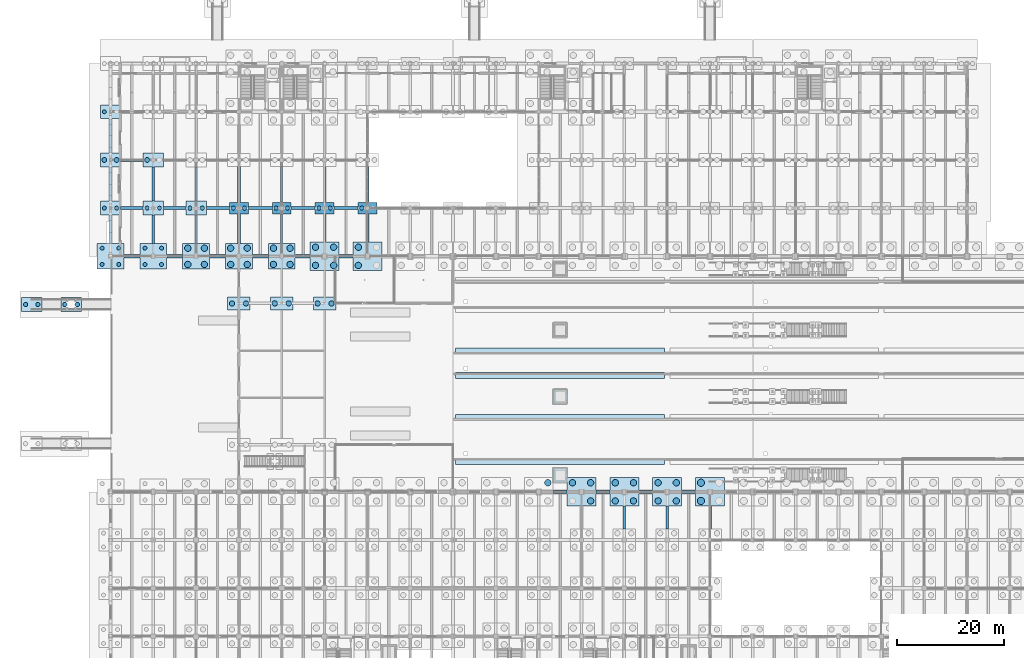
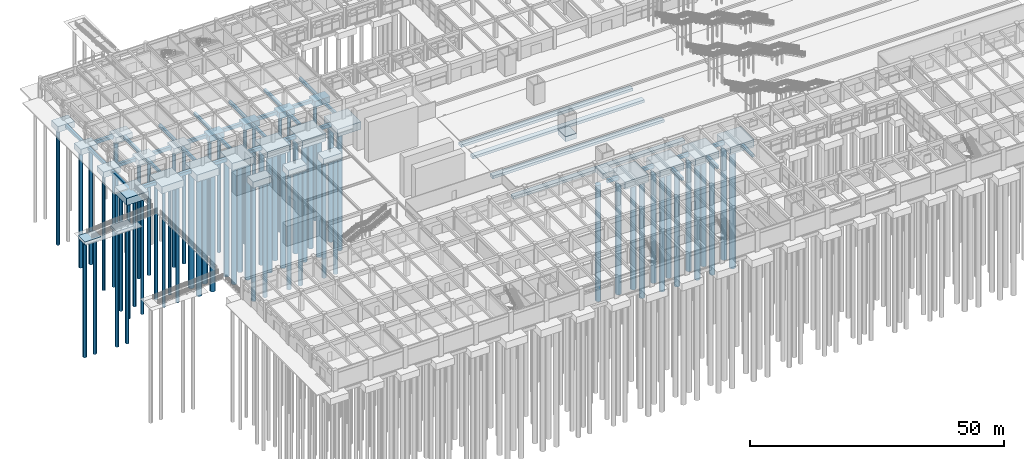
# One storey, part 4 of 147: 67 footings, 67 piles.
"""IFC4 building model written with IfcOpenShell, lengths in metres."""

from ifc_helpers import new_model, si_unit, direction, frame, origin, origin_2d, place, context, subcontext, project, spatial, rectangle, circle, extrude, material, layer, layer_set, material_profile, profile_set, type_object, element, save


model = new_model("IFC4")

# Units and contexts
model_context = context("Model", 3, precision=1e-05, world=origin(), true_north=direction((0.0, 1.0)))
body_context = subcontext(model_context, "Body", "Model", "MODEL_VIEW")
ifc_project = project(units=[si_unit("LENGTHUNIT", "METRE"), si_unit("AREAUNIT", "SQUARE_METRE"), si_unit("VOLUMEUNIT", "CUBIC_METRE"), si_unit("PLANEANGLEUNIT", "RADIAN"), si_unit("MASSUNIT", "GRAM", prefix="KILO")], contexts=[model_context])

# Site, building, storey
site_placement = place(None, origin())
site = spatial("IfcSite", under=ifc_project, at=site_placement, CompositionType="ELEMENT")
building_placement = place(site_placement, origin())
building = spatial("IfcBuilding", under=site, at=building_placement, Name="Varnabhumi Central Station", CompositionType="ELEMENT")
storey_placement = place(building_placement, origin())
storey = spatial("IfcBuildingStorey", under=building, at=storey_placement, Name="L00", CompositionType="ELEMENT", Elevation=0.0)

# Footings
ifc_material_1 = material(Name="Concrete M40", Category="concrete")
ifc_layer_1 = layer(ifc_material_1, 1.39990234375, Name="Concrete M40", Category="concrete")
ifc_layer_set_1 = layer_set([ifc_layer_1], Name="Concrete M40")
footing_type_1 = type_object("IfcFootingType", Name="CAP-CANOPY", PredefinedType="PILE_CAP", material=ifc_layer_set_1)
for number, where, z_axis, x_axis, name in (
    (1, (0.0, 89.0, -1.699951171875), (0.0, 0.0, 1.0), (1.0, 0.0, 0.0), "Pile Cap 1-L"),
    (2, (0.0, 98.0, -1.699951171875), (0.0, 0.0, 1.0), (1.0, 0.0, 0.0), "Pile Cap 1-M"),
    (3, (0.0, 107.0, -1.699951171875), (0.0, 0.0, 1.0), (1.0, 0.0, 0.0), "Pile Cap 1-N"),
    (4, (8.0, 89.0, -1.699951171875), (0.0, 0.0, 1.0), (1.0, 0.0, 0.0), "Pile Cap 2-L"),
    (5, (8.0, 98.0, -1.699951171875), (0.0, 0.0, 1.0), (1.0, 0.0, 0.0), "Pile Cap 2-M"),
    (6, (16.0, 89.0, -1.699951171875), (0.0, 0.0, 1.0), (1.0, 0.0, 0.0), "Pile Cap 3-L"),
):
    element("IfcFooting", number, at=place(storey_placement, frame(where, z_axis=z_axis, x_axis=x_axis)), inside=storey, type_object=footing_type_1, Name=name, PredefinedType="PILE_CAP", context=body_context, shape_type="SweptSolid", body=[
        extrude(rectangle(XDim=3.800048828125, YDim=2.60009765625, at=origin_2d()), origin(), (0.0, 0.0, 1.0), 1.39990234375),
    ])
for number, where, z_axis, x_axis, name in (
    (7, (-14.699951171875, 71.0, -1.75), (0.0, 0.0, 1.0), (1.0, 0.0, 0.0), "RMP-FC-N Toe Pile Cap"),
    (8, (-7.35009765625, 71.0, -1.7998046875), (0.0, 0.0, 1.0), (1.0, 0.0, 0.0), "RMP-FC-N Landing Pile Cap"),
):
    element("IfcFooting", number, at=place(storey_placement, frame(where, z_axis=z_axis, x_axis=x_axis)), inside=storey, type_object=footing_type_1, Name=name, PredefinedType="PILE_CAP", context=body_context, shape_type="SweptSolid", body=[
        extrude(rectangle(XDim=3.800048828125, YDim=2.60009765625, at=origin_2d()), origin(), (0.0, 0.0, 1.0), 0.699951171875),
    ])
ifc_layer_2 = layer(ifc_material_1, 1.5, Name="Concrete M40", Category="concrete")
ifc_layer_set_2 = layer_set([ifc_layer_2], Name="Concrete M40")
footing_type_2 = type_object("IfcFootingType", Name="CAP-NORTH-INT", PredefinedType="PILE_CAP", material=ifc_layer_set_2)
for number, where, z_axis, x_axis, name in (
    (9, (24.0, 71.199951171875, -1.800048828125), (0.0, 0.0, 1.0), (1.0, 0.0, 0.0), "Gallery Pile Cap 4-J"),
    (10, (32.0, 71.199951171875, -1.800048828125), (0.0, 0.0, 1.0), (1.0, 0.0, 0.0), "Gallery Pile Cap 5-J"),
    (11, (40.0, 71.199951171875, -1.800048828125), (0.0, 0.0, 1.0), (1.0, 0.0, 0.0), "Gallery Pile Cap 6-J"),
):
    element("IfcFooting", number, at=place(storey_placement, frame(where, z_axis=z_axis, x_axis=x_axis)), inside=storey, type_object=footing_type_2, Name=name, PredefinedType="PILE_CAP", context=body_context, shape_type="SweptSolid", body=[
        extrude(rectangle(XDim=4.199951171875, YDim=2.39990234375, at=origin_2d()), origin(), (0.0, 0.0, 1.0), 1.5),
    ])
ifc_layer_3 = layer(ifc_material_1, 1.449951171875, Name="Concrete M40", Category="concrete")
ifc_layer_set_3 = layer_set([ifc_layer_3], Name="Concrete M40")
footing_type_3 = type_object("IfcFootingType", Name="CAP-NORTH-PER", PredefinedType="PILE_CAP", material=ifc_layer_set_3)
for number, where, z_axis, x_axis, name in (
    (12, (24.0, 89.0, -1.75), (0.0, 0.0, 1.0), (1.0, 0.0, 0.0), "Pile Cap 4-L"),
    (13, (32.0, 89.0, -1.75), (0.0, 0.0, 1.0), (1.0, 0.0, 0.0), "Pile Cap 5-L"),
    (14, (40.0, 89.0, -1.75), (0.0, 0.0, 1.0), (1.0, 0.0, 0.0), "Pile Cap 6-L"),
    (15, (48.0, 89.0, -1.75), (0.0, 0.0, 1.0), (1.0, 0.0, 0.0), "Pile Cap 7-L"),
):
    element("IfcFooting", number, at=place(storey_placement, frame(where, z_axis=z_axis, x_axis=x_axis)), inside=storey, type_object=footing_type_3, Name=name, PredefinedType="PILE_CAP", context=body_context, shape_type="SweptSolid", body=[
        extrude(rectangle(XDim=3.5, YDim=2.199951171875, at=origin_2d()), origin(), (0.0, 0.0, 1.0), 1.449951171875),
    ])
ifc_layer_4 = layer(ifc_material_1, 1.800048828125, Name="Concrete M40", Category="concrete")
ifc_layer_set_4 = layer_set([ifc_layer_4], Name="Concrete M40")
footing_type_4 = type_object("IfcFootingType", Name="CAP-SPINE-HVY", PredefinedType="PILE_CAP", material=ifc_layer_set_4)
for number, where, z_axis, x_axis, name in (
    (16, (40.0, 80.0, -2.10009765625), (0.0, 0.0, 1.0), (1.0, 0.0, 0.0), "Pile Cap 6-K"),
    (17, (48.0, 80.0, -2.10009765625), (0.0, 0.0, 1.0), (1.0, 0.0, 0.0), "Pile Cap 7-K"),
    (18, (88.0, 36.0, -2.10009765625), (0.0, 0.0, 1.0), (1.0, 0.0, 0.0), "Pile Cap 12-E"),
    (19, (96.0, 36.0, -2.10009765625), (0.0, 0.0, 1.0), (1.0, 0.0, 0.0), "Pile Cap 13-E"),
    (20, (104.0, 36.0, -2.10009765625), (0.0, 0.0, 1.0), (1.0, 0.0, 0.0), "Pile Cap 14-E"),
    (21, (112.0, 36.0, -2.10009765625), (0.0, 0.0, 1.0), (1.0, 0.0, 0.0), "Pile Cap 15-E"),
):
    element("IfcFooting", number, at=place(storey_placement, frame(where, z_axis=z_axis, x_axis=x_axis)), inside=storey, type_object=footing_type_4, Name=name, PredefinedType="PILE_CAP", context=body_context, shape_type="SweptSolid", body=[
        extrude(rectangle(XDim=5.39990234375, YDim=5.300048828125, at=origin_2d()), origin(), (0.0, 0.0, 1.0), 1.800048828125),
    ])
ifc_layer_5 = layer(ifc_material_1, 1.699951171875, Name="Concrete M40", Category="concrete")
ifc_layer_set_5 = layer_set([ifc_layer_5], Name="Concrete M40")
footing_type_5 = type_object("IfcFootingType", Name="CAP-SPINE-MED", PredefinedType="PILE_CAP", material=ifc_layer_set_5)
for number, where, z_axis, x_axis, name in (
    (22, (0.0, 80.0, -2.0), (0.0, 0.0, 1.0), (1.0, 0.0, 0.0), "Pile Cap 1-K"),
    (23, (8.0, 80.0, -2.0), (0.0, 0.0, 1.0), (1.0, 0.0, 0.0), "Pile Cap 2-K"),
    (24, (16.0, 80.0, -2.0), (0.0, 0.0, 1.0), (1.0, 0.0, 0.0), "Pile Cap 3-K"),
    (25, (24.0, 80.0, -2.0), (0.0, 0.0, 1.0), (1.0, 0.0, 0.0), "Pile Cap 4-K"),
    (26, (32.0, 80.0, -2.0), (0.0, 0.0, 1.0), (1.0, 0.0, 0.0), "Pile Cap 5-K"),
):
    element("IfcFooting", number, at=place(storey_placement, frame(where, z_axis=z_axis, x_axis=x_axis)), inside=storey, type_object=footing_type_5, Name=name, PredefinedType="PILE_CAP", context=body_context, shape_type="SweptSolid", body=[
        extrude(rectangle(XDim=5.0, YDim=4.800048828125, at=origin_2d()), origin(), (0.0, 0.0, 1.0), 1.699951171875),
    ])
footing_type_6 = type_object("IfcFootingType", Name="FTG-STRIP-PLAT", PredefinedType="STRIP_FOOTING", material=ifc_material_1)
for number, where, z_axis, x_axis, name in (
    (27, (84.0, 41.699951171875, -1.905029296875), (0.0, 0.0, 1.0), (1.0, 0.0, 0.0), "Platform Strip Footing PLAT-1-2-0"),
    (28, (84.0, 49.89990234375, -1.905029296875), (0.0, 0.0, 1.0), (1.0, 0.0, 0.0), "Platform Strip Footing PLAT-2-1-0"),
    (29, (84.0, 57.699951171875, -1.905029296875), (0.0, 0.0, 1.0), (1.0, 0.0, 0.0), "Platform Strip Footing PLAT-2-2-0"),
    (30, (84.0, 62.300048828125, -1.905029296875), (0.0, 0.0, 1.0), (1.0, 0.0, 0.0), "Platform Strip Footing PLAT-3-1-0"),
):
    element("IfcFooting", number, at=place(storey_placement, frame(where, z_axis=z_axis, x_axis=x_axis)), inside=storey, type_object=footing_type_6, Name=name, PredefinedType="STRIP_FOOTING", context=body_context, shape_type="SweptSolid", body=[
        extrude(rectangle(XDim=39.0, YDim=1.10009765625, at=origin_2d()), origin(), (0.0, 0.0, 1.0), 0.64990234375),
    ])
for number, where, z_axis, x_axis, name in (
    (31, (84.0, 39.10009765625, -1.2001953125), (0.0, 0.0, 1.0), (1.0, 0.0, 0.0), "Lift Shaft Foundation Pad PL-1"),
    (32, (84.0, 53.800048828125, -1.2001953125), (0.0, 0.0, 1.0), (1.0, 0.0, 0.0), "Lift Shaft Foundation Pad PL-2"),
):
    element("IfcFooting", number, at=place(storey_placement, frame(where, z_axis=z_axis, x_axis=x_axis)), inside=storey, type_object=footing_type_6, Name=name, PredefinedType="STRIP_FOOTING", context=body_context, shape_type="SweptSolid", body=[
        extrude(rectangle(XDim=2.5, YDim=2.89990234375, at=origin_2d()), origin(), (0.0, 0.0, 1.0), 1.199951171875),
    ])
footing_type_7 = type_object("IfcFootingType", Name="FTG-TIE-500x700", PredefinedType="FOOTING_BEAM", material=ifc_material_1)
footing_1_placement = place(storey_placement, frame((0.0, 85.050048828125, -1.0), z_axis=(0.0, 0.0, 1.0), x_axis=(1.0, 0.0, 0.0)))
element("IfcFooting", 33, at=footing_1_placement, inside=storey, type_object=footing_type_7, Name="Plinth Tie Beam 1:K-L", PredefinedType="FOOTING_BEAM", context=body_context, shape_type="SweptSolid", body=[
    extrude(rectangle(XDim=0.5, YDim=5.260009765625, at=origin_2d()), origin(), (0.0, 0.0, 1.0), 0.699951171875),
])
for number, where, z_axis, x_axis, name in (
    (34, (0.0, 93.5, -1.0), (0.0, 0.0, 1.0), (1.0, 0.0, 0.0), "Plinth Tie Beam 1:L-M"),
    (35, (0.0, 102.5, -1.0), (0.0, 0.0, 1.0), (1.0, 0.0, 0.0), "Plinth Tie Beam 1:M-N"),
):
    element("IfcFooting", number, at=place(storey_placement, frame(where, z_axis=z_axis, x_axis=x_axis)), inside=storey, type_object=footing_type_7, Name=name, PredefinedType="FOOTING_BEAM", context=body_context, shape_type="SweptSolid", body=[
        extrude(rectangle(XDim=0.5, YDim=6.360107421875, at=origin_2d()), origin(), (0.0, 0.0, 1.0), 0.699951171875),
    ])
footing_2_placement = place(storey_placement, frame((8.0, 85.050048828125, -1.0), z_axis=(0.0, 0.0, 1.0), x_axis=(1.0, 0.0, 0.0)))
element("IfcFooting", 36, at=footing_2_placement, inside=storey, type_object=footing_type_7, Name="Plinth Tie Beam 2:K-L", PredefinedType="FOOTING_BEAM", context=body_context, shape_type="SweptSolid", body=[
    extrude(rectangle(XDim=0.5, YDim=5.260009765625, at=origin_2d()), origin(), (0.0, 0.0, 1.0), 0.699951171875),
])
footing_3_placement = place(storey_placement, frame((8.0, 93.5, -1.0), z_axis=(0.0, 0.0, 1.0), x_axis=(1.0, 0.0, 0.0)))
element("IfcFooting", 37, at=footing_3_placement, inside=storey, type_object=footing_type_7, Name="Plinth Tie Beam 2:L-M", PredefinedType="FOOTING_BEAM", context=body_context, shape_type="SweptSolid", body=[
    extrude(rectangle(XDim=0.5, YDim=6.360107421875, at=origin_2d()), origin(), (0.0, 0.0, 1.0), 0.699951171875),
])
footing_4_placement = place(storey_placement, frame((16.0, 85.050048828125, -1.0), z_axis=(0.0, 0.0, 1.0), x_axis=(1.0, 0.0, 0.0)))
element("IfcFooting", 38, at=footing_4_placement, inside=storey, type_object=footing_type_7, Name="Plinth Tie Beam 3:K-L", PredefinedType="FOOTING_BEAM", context=body_context, shape_type="SweptSolid", body=[
    extrude(rectangle(XDim=0.5, YDim=5.260009765625, at=origin_2d()), origin(), (0.0, 0.0, 1.0), 0.699951171875),
])
footing_5_placement = place(storey_placement, frame((16.0, 93.5, -1.0), z_axis=(0.0, 0.0, 1.0), x_axis=(1.0, 0.0, 0.0)))
element("IfcFooting", 39, at=footing_5_placement, inside=storey, type_object=footing_type_7, Name="Plinth Tie Beam 3:L-M", PredefinedType="FOOTING_BEAM", context=body_context, shape_type="SweptSolid", body=[
    extrude(rectangle(XDim=0.5, YDim=6.360107421875, at=origin_2d()), origin(), (0.0, 0.0, 1.0), 0.699951171875),
])
footing_6_placement = place(storey_placement, frame((24.0, 85.14990234375, -1.0), z_axis=(0.0, 0.0, 1.0), x_axis=(1.0, 0.0, 0.0)))
element("IfcFooting", 40, at=footing_6_placement, inside=storey, type_object=footing_type_7, Name="Plinth Tie Beam 4:K-L", PredefinedType="FOOTING_BEAM", context=body_context, shape_type="SweptSolid", body=[
    extrude(rectangle(XDim=0.5, YDim=5.4599609375, at=origin_2d()), origin(), (0.0, 0.0, 1.0), 0.699951171875),
])
footing_7_placement = place(storey_placement, frame((24.0, 93.449951171875, -1.0), z_axis=(0.0, 0.0, 1.0), x_axis=(1.0, 0.0, 0.0)))
element("IfcFooting", 41, at=footing_7_placement, inside=storey, type_object=footing_type_7, Name="Plinth Tie Beam 4:L-M", PredefinedType="FOOTING_BEAM", context=body_context, shape_type="SweptSolid", body=[
    extrude(rectangle(XDim=0.5, YDim=6.659912109375, at=origin_2d()), origin(), (0.0, 0.0, 1.0), 0.699951171875),
])
footing_8_placement = place(storey_placement, frame((32.0, 85.14990234375, -1.0), z_axis=(0.0, 0.0, 1.0), x_axis=(1.0, 0.0, 0.0)))
element("IfcFooting", 42, at=footing_8_placement, inside=storey, type_object=footing_type_7, Name="Plinth Tie Beam 5:K-L", PredefinedType="FOOTING_BEAM", context=body_context, shape_type="SweptSolid", body=[
    extrude(rectangle(XDim=0.5, YDim=5.4599609375, at=origin_2d()), origin(), (0.0, 0.0, 1.0), 0.699951171875),
])
footing_9_placement = place(storey_placement, frame((32.0, 93.449951171875, -1.0), z_axis=(0.0, 0.0, 1.0), x_axis=(1.0, 0.0, 0.0)))
element("IfcFooting", 43, at=footing_9_placement, inside=storey, type_object=footing_type_7, Name="Plinth Tie Beam 5:L-M", PredefinedType="FOOTING_BEAM", context=body_context, shape_type="SweptSolid", body=[
    extrude(rectangle(XDim=0.5, YDim=6.659912109375, at=origin_2d()), origin(), (0.0, 0.0, 1.0), 0.699951171875),
])
footing_10_placement = place(storey_placement, frame((40.0, 85.27490234375, -1.0), z_axis=(0.0, 0.0, 1.0), x_axis=(1.0, 0.0, 0.0)))
element("IfcFooting", 44, at=footing_10_placement, inside=storey, type_object=footing_type_7, Name="Plinth Tie Beam 6:K-L", PredefinedType="FOOTING_BEAM", context=body_context, shape_type="SweptSolid", body=[
    extrude(rectangle(XDim=0.5, YDim=5.2099609375, at=origin_2d()), origin(), (0.0, 0.0, 1.0), 0.699951171875),
])
footing_11_placement = place(storey_placement, frame((40.0, 93.449951171875, -1.0), z_axis=(0.0, 0.0, 1.0), x_axis=(1.0, 0.0, 0.0)))
element("IfcFooting", 45, at=footing_11_placement, inside=storey, type_object=footing_type_7, Name="Plinth Tie Beam 6:L-M", PredefinedType="FOOTING_BEAM", context=body_context, shape_type="SweptSolid", body=[
    extrude(rectangle(XDim=0.5, YDim=6.659912109375, at=origin_2d()), origin(), (0.0, 0.0, 1.0), 0.699951171875),
])
footing_12_placement = place(storey_placement, frame((48.0, 85.27490234375, -1.0), z_axis=(0.0, 0.0, 1.0), x_axis=(1.0, 0.0, 0.0)))
element("IfcFooting", 46, at=footing_12_placement, inside=storey, type_object=footing_type_7, Name="Plinth Tie Beam 7:K-L", PredefinedType="FOOTING_BEAM", context=body_context, shape_type="SweptSolid", body=[
    extrude(rectangle(XDim=0.5, YDim=5.2099609375, at=origin_2d()), origin(), (0.0, 0.0, 1.0), 0.699951171875),
])
footing_13_placement = place(storey_placement, frame((48.0, 93.449951171875, -1.0), z_axis=(0.0, 0.0, 1.0), x_axis=(1.0, 0.0, 0.0)))
element("IfcFooting", 47, at=footing_13_placement, inside=storey, type_object=footing_type_7, Name="Plinth Tie Beam 7:L-M", PredefinedType="FOOTING_BEAM", context=body_context, shape_type="SweptSolid", body=[
    extrude(rectangle(XDim=0.5, YDim=6.659912109375, at=origin_2d()), origin(), (0.0, 0.0, 1.0), 0.699951171875),
])
for number, where, z_axis, x_axis, name in (
    (48, (96.0, 31.199951171875, -1.0), (0.0, 0.0, 1.0), (1.0, 0.0, 0.0), "Plinth Tie Beam 13:D-E"),
    (49, (104.0, 31.199951171875, -1.0), (0.0, 0.0, 1.0), (1.0, 0.0, 0.0), "Plinth Tie Beam 14:D-E"),
    (50, (112.0, 31.199951171875, -1.0), (0.0, 0.0, 1.0), (1.0, 0.0, 0.0), "Plinth Tie Beam 15:D-E"),
):
    element("IfcFooting", number, at=place(storey_placement, frame(where, z_axis=z_axis, x_axis=x_axis)), inside=storey, type_object=footing_type_7, Name=name, PredefinedType="FOOTING_BEAM", context=body_context, shape_type="SweptSolid", body=[
        extrude(rectangle(XDim=0.5, YDim=4.260009765625, at=origin_2d()), origin(), (0.0, 0.0, 1.0), 0.699951171875),
    ])
footing_type_8 = type_object("IfcFootingType", Name="FTG-TIE-600x800", PredefinedType="FOOTING_BEAM", material=ifc_material_1)
footing_14_placement = place(storey_placement, frame((4.0, 80.0, -1.10009765625), z_axis=(0.0, 0.0, 1.0), x_axis=(1.0, 0.0, 0.0)))
element("IfcFooting", 51, at=footing_14_placement, inside=storey, type_object=footing_type_8, Name="Plinth Tie Beam K:1-2", PredefinedType="FOOTING_BEAM", context=body_context, shape_type="SweptSolid", body=[
    extrude(rectangle(XDim=2.9599609375, YDim=0.60009765625, at=origin_2d()), origin(), (0.0, 0.0, 1.0), 0.800048828125),
])
for number, where, z_axis, x_axis, name in (
    (52, (4.0, 89.0, -1.10009765625), (0.0, 0.0, 1.0), (1.0, 0.0, 0.0), "Plinth Tie Beam L:1-2"),
    (53, (4.0, 98.0, -1.10009765625), (0.0, 0.0, 1.0), (1.0, 0.0, 0.0), "Plinth Tie Beam M:1-2"),
):
    element("IfcFooting", number, at=place(storey_placement, frame(where, z_axis=z_axis, x_axis=x_axis)), inside=storey, type_object=footing_type_8, Name=name, PredefinedType="FOOTING_BEAM", context=body_context, shape_type="SweptSolid", body=[
        extrude(rectangle(XDim=4.159912109375, YDim=0.60009765625, at=origin_2d()), origin(), (0.0, 0.0, 1.0), 0.800048828125),
    ])
footing_15_placement = place(storey_placement, frame((12.0, 80.0, -1.10009765625), z_axis=(0.0, 0.0, 1.0), x_axis=(1.0, 0.0, 0.0)))
element("IfcFooting", 54, at=footing_15_placement, inside=storey, type_object=footing_type_8, Name="Plinth Tie Beam K:2-3", PredefinedType="FOOTING_BEAM", context=body_context, shape_type="SweptSolid", body=[
    extrude(rectangle(XDim=2.9599609375, YDim=0.60009765625, at=origin_2d()), origin(), (0.0, 0.0, 1.0), 0.800048828125),
])
footing_16_placement = place(storey_placement, frame((12.0, 89.0, -1.10009765625), z_axis=(0.0, 0.0, 1.0), x_axis=(1.0, 0.0, 0.0)))
element("IfcFooting", 55, at=footing_16_placement, inside=storey, type_object=footing_type_8, Name="Plinth Tie Beam L:2-3", PredefinedType="FOOTING_BEAM", context=body_context, shape_type="SweptSolid", body=[
    extrude(rectangle(XDim=4.159912109375, YDim=0.60009765625, at=origin_2d()), origin(), (0.0, 0.0, 1.0), 0.800048828125),
])
footing_17_placement = place(storey_placement, frame((20.0, 80.0, -1.10009765625), z_axis=(0.0, 0.0, 1.0), x_axis=(1.0, 0.0, 0.0)))
element("IfcFooting", 56, at=footing_17_placement, inside=storey, type_object=footing_type_8, Name="Plinth Tie Beam K:3-4", PredefinedType="FOOTING_BEAM", context=body_context, shape_type="SweptSolid", body=[
    extrude(rectangle(XDim=2.9599609375, YDim=0.60009765625, at=origin_2d()), origin(), (0.0, 0.0, 1.0), 0.800048828125),
])
footing_18_placement = place(storey_placement, frame((20.074951171875, 89.0, -1.10009765625), z_axis=(0.0, 0.0, 1.0), x_axis=(1.0, 0.0, 0.0)))
element("IfcFooting", 57, at=footing_18_placement, inside=storey, type_object=footing_type_8, Name="Plinth Tie Beam L:3-4", PredefinedType="FOOTING_BEAM", context=body_context, shape_type="SweptSolid", body=[
    extrude(rectangle(XDim=4.31005859375, YDim=0.60009765625, at=origin_2d()), origin(), (0.0, 0.0, 1.0), 0.800048828125),
])
footing_19_placement = place(storey_placement, frame((28.0, 80.0, -1.10009765625), z_axis=(0.0, 0.0, 1.0), x_axis=(1.0, 0.0, 0.0)))
element("IfcFooting", 58, at=footing_19_placement, inside=storey, type_object=footing_type_8, Name="Plinth Tie Beam K:4-5", PredefinedType="FOOTING_BEAM", context=body_context, shape_type="SweptSolid", body=[
    extrude(rectangle(XDim=2.9599609375, YDim=0.60009765625, at=origin_2d()), origin(), (0.0, 0.0, 1.0), 0.800048828125),
])
footing_20_placement = place(storey_placement, frame((28.0, 89.0, -1.10009765625), z_axis=(0.0, 0.0, 1.0), x_axis=(1.0, 0.0, 0.0)))
element("IfcFooting", 59, at=footing_20_placement, inside=storey, type_object=footing_type_8, Name="Plinth Tie Beam L:4-5", PredefinedType="FOOTING_BEAM", context=body_context, shape_type="SweptSolid", body=[
    extrude(rectangle(XDim=4.4599609375, YDim=0.60009765625, at=origin_2d()), origin(), (0.0, 0.0, 1.0), 0.800048828125),
])
footing_21_placement = place(storey_placement, frame((35.89990234375, 80.0, -1.10009765625), z_axis=(0.0, 0.0, 1.0), x_axis=(1.0, 0.0, 0.0)))
element("IfcFooting", 60, at=footing_21_placement, inside=storey, type_object=footing_type_8, Name="Plinth Tie Beam K:5-6", PredefinedType="FOOTING_BEAM", context=body_context, shape_type="SweptSolid", body=[
    extrude(rectangle(XDim=2.760009765625, YDim=0.60009765625, at=origin_2d()), origin(), (0.0, 0.0, 1.0), 0.800048828125),
])
footing_22_placement = place(storey_placement, frame((36.0, 89.0, -1.10009765625), z_axis=(0.0, 0.0, 1.0), x_axis=(1.0, 0.0, 0.0)))
element("IfcFooting", 61, at=footing_22_placement, inside=storey, type_object=footing_type_8, Name="Plinth Tie Beam L:5-6", PredefinedType="FOOTING_BEAM", context=body_context, shape_type="SweptSolid", body=[
    extrude(rectangle(XDim=4.4599609375, YDim=0.60009765625, at=origin_2d()), origin(), (0.0, 0.0, 1.0), 0.800048828125),
])
footing_23_placement = place(storey_placement, frame((44.0, 80.0, -1.10009765625), z_axis=(0.0, 0.0, 1.0), x_axis=(1.0, 0.0, 0.0)))
element("IfcFooting", 62, at=footing_23_placement, inside=storey, type_object=footing_type_8, Name="Plinth Tie Beam K:6-7", PredefinedType="FOOTING_BEAM", context=body_context, shape_type="SweptSolid", body=[
    extrude(rectangle(XDim=2.56005859375, YDim=0.60009765625, at=origin_2d()), origin(), (0.0, 0.0, 1.0), 0.800048828125),
])
footing_24_placement = place(storey_placement, frame((44.0, 89.0, -1.10009765625), z_axis=(0.0, 0.0, 1.0), x_axis=(1.0, 0.0, 0.0)))
element("IfcFooting", 63, at=footing_24_placement, inside=storey, type_object=footing_type_8, Name="Plinth Tie Beam L:6-7", PredefinedType="FOOTING_BEAM", context=body_context, shape_type="SweptSolid", body=[
    extrude(rectangle(XDim=4.4599609375, YDim=0.60009765625, at=origin_2d()), origin(), (0.0, 0.0, 1.0), 0.800048828125),
])
for number, where, z_axis, x_axis, name in (
    (64, (84.0, 36.0, -1.10009765625), (0.0, 0.0, 1.0), (1.0, 0.0, 0.0), "Plinth Tie Beam E:11-12"),
    (65, (92.0, 36.0, -1.10009765625), (0.0, 0.0, 1.0), (1.0, 0.0, 0.0), "Plinth Tie Beam E:12-13"),
    (66, (100.0, 36.0, -1.10009765625), (0.0, 0.0, 1.0), (1.0, 0.0, 0.0), "Plinth Tie Beam E:13-14"),
    (67, (108.0, 36.0, -1.10009765625), (0.0, 0.0, 1.0), (1.0, 0.0, 0.0), "Plinth Tie Beam E:14-15"),
):
    element("IfcFooting", number, at=place(storey_placement, frame(where, z_axis=z_axis, x_axis=x_axis)), inside=storey, type_object=footing_type_8, Name=name, PredefinedType="FOOTING_BEAM", context=body_context, shape_type="SweptSolid", body=[
        extrude(rectangle(XDim=2.56005859375, YDim=0.60009765625, at=origin_2d()), origin(), (0.0, 0.0, 1.0), 0.800048828125),
    ])

# Piles
ifc_material_2 = material(Name="Concrete M35", Category="concrete")
ifc_material_profile_1 = material_profile(ifc_material_2, circle(Radius=0.5, at=origin_2d()), Name="Concrete M35", Category="concrete")
ifc_profile_set_1 = profile_set([ifc_material_profile_1], Name="Concrete M35")
pile_type_1 = type_object("IfcPileType", Name="PILE-D1000", PredefinedType="BORED", material=ifc_profile_set_1)
for number, where, z_axis, x_axis, name in (
    (68, (22.699951171875, 71.199951171875, -1.699951171875), (0.0, 0.0, -1.0), (1.0, 0.0, 0.0), "Gallery Pile 4-J-P1"),
    (69, (25.300048828125, 71.199951171875, -1.699951171875), (0.0, 0.0, -1.0), (1.0, 0.0, 0.0), "Gallery Pile 4-J-P2"),
    (70, (30.699951171875, 71.199951171875, -1.699951171875), (0.0, 0.0, -1.0), (1.0, 0.0, 0.0), "Gallery Pile 5-J-P1"),
    (71, (33.300048828125, 71.199951171875, -1.699951171875), (0.0, 0.0, -1.0), (1.0, 0.0, 0.0), "Gallery Pile 5-J-P2"),
    (72, (38.699951171875, 71.199951171875, -1.699951171875), (0.0, 0.0, -1.0), (1.0, 0.0, 0.0), "Gallery Pile 6-J-P1"),
    (73, (41.300048828125, 71.199951171875, -1.699951171875), (0.0, 0.0, -1.0), (1.0, 0.0, 0.0), "Gallery Pile 6-J-P2"),
):
    element("IfcPile", number, at=place(storey_placement, frame(where, z_axis=z_axis, x_axis=x_axis)), inside=storey, type_object=pile_type_1, Name=name, PredefinedType="BORED", context=body_context, shape_type="SweptSolid", body=[
        extrude(circle(Radius=0.5, at=origin_2d()), origin(), (0.0, 0.0, 1.0), 28.0),
    ])
ifc_material_profile_2 = material_profile(ifc_material_2, circle(Radius=0.60009765625, at=origin_2d()), Name="Concrete M35", Category="concrete")
ifc_profile_set_2 = profile_set([ifc_material_profile_2], Name="Concrete M35")
pile_type_2 = type_object("IfcPileType", Name="PILE-D1200", PredefinedType="BORED", material=ifc_profile_set_2)
for number, where, z_axis, x_axis, name in (
    (74, (14.449951171875, 78.47998046875, -1.89990234375), (0.0, 0.0, -1.0), (1.0, 0.0, 0.0), "Bored Pile 3-K-P1"),
    (75, (17.550048828125, 78.47998046875, -1.89990234375), (0.0, 0.0, -1.0), (1.0, 0.0, 0.0), "Bored Pile 3-K-P2"),
    (76, (14.449951171875, 81.52001953125, -1.89990234375), (0.0, 0.0, -1.0), (1.0, 0.0, 0.0), "Bored Pile 3-K-P3"),
    (77, (17.550048828125, 81.52001953125, -1.89990234375), (0.0, 0.0, -1.0), (1.0, 0.0, 0.0), "Bored Pile 3-K-P4"),
    (78, (22.449951171875, 78.47998046875, -1.89990234375), (0.0, 0.0, -1.0), (1.0, 0.0, 0.0), "Bored Pile 4-K-P1"),
    (79, (25.550048828125, 78.47998046875, -1.89990234375), (0.0, 0.0, -1.0), (1.0, 0.0, 0.0), "Bored Pile 4-K-P2"),
    (80, (22.449951171875, 81.52001953125, -1.89990234375), (0.0, 0.0, -1.0), (1.0, 0.0, 0.0), "Bored Pile 4-K-P3"),
    (81, (25.550048828125, 81.52001953125, -1.89990234375), (0.0, 0.0, -1.0), (1.0, 0.0, 0.0), "Bored Pile 4-K-P4"),
    (82, (30.449951171875, 78.47998046875, -1.89990234375), (0.0, 0.0, -1.0), (1.0, 0.0, 0.0), "Bored Pile 5-K-P1"),
    (83, (33.550048828125, 78.47998046875, -1.89990234375), (0.0, 0.0, -1.0), (1.0, 0.0, 0.0), "Bored Pile 5-K-P2"),
    (84, (30.449951171875, 81.52001953125, -1.89990234375), (0.0, 0.0, -1.0), (1.0, 0.0, 0.0), "Bored Pile 5-K-P3"),
    (85, (33.550048828125, 81.52001953125, -1.89990234375), (0.0, 0.0, -1.0), (1.0, 0.0, 0.0), "Bored Pile 5-K-P4"),
    (86, (38.300048828125, 78.300048828125, -2.0), (0.0, 0.0, -1.0), (1.0, 0.0, 0.0), "Bored Pile 6-K-P1"),
    (87, (41.699951171875, 78.300048828125, -2.0), (0.0, 0.0, -1.0), (1.0, 0.0, 0.0), "Bored Pile 6-K-P2"),
    (88, (38.300048828125, 81.699951171875, -2.0), (0.0, 0.0, -1.0), (1.0, 0.0, 0.0), "Bored Pile 6-K-P3"),
    (89, (41.699951171875, 81.699951171875, -2.0), (0.0, 0.0, -1.0), (1.0, 0.0, 0.0), "Bored Pile 6-K-P4"),
    (90, (46.300048828125, 78.300048828125, -2.0), (0.0, 0.0, -1.0), (1.0, 0.0, 0.0), "Bored Pile 7-K-P1"),
    (91, (46.300048828125, 81.699951171875, -2.0), (0.0, 0.0, -1.0), (1.0, 0.0, 0.0), "Bored Pile 7-K-P3"),
    (92, (81.699951171875, 37.699951171875, -2.0), (0.0, 0.0, -1.0), (1.0, 0.0, 0.0), "Bored Pile 11-E-P4"),
    (93, (89.699951171875, 34.300048828125, -2.0), (0.0, 0.0, -1.0), (1.0, 0.0, 0.0), "Bored Pile 12-E-P2"),
    (94, (86.300048828125, 37.699951171875, -2.0), (0.0, 0.0, -1.0), (1.0, 0.0, 0.0), "Bored Pile 12-E-P3"),
    (95, (89.699951171875, 37.699951171875, -2.0), (0.0, 0.0, -1.0), (1.0, 0.0, 0.0), "Bored Pile 12-E-P4"),
    (96, (94.300048828125, 34.300048828125, -2.0), (0.0, 0.0, -1.0), (1.0, 0.0, 0.0), "Bored Pile 13-E-P1"),
    (97, (97.699951171875, 34.300048828125, -2.0), (0.0, 0.0, -1.0), (1.0, 0.0, 0.0), "Bored Pile 13-E-P2"),
    (98, (94.300048828125, 37.699951171875, -2.0), (0.0, 0.0, -1.0), (1.0, 0.0, 0.0), "Bored Pile 13-E-P3"),
    (99, (97.699951171875, 37.699951171875, -2.0), (0.0, 0.0, -1.0), (1.0, 0.0, 0.0), "Bored Pile 13-E-P4"),
    (100, (102.300048828125, 34.300048828125, -2.0), (0.0, 0.0, -1.0), (1.0, 0.0, 0.0), "Bored Pile 14-E-P1"),
    (101, (105.699951171875, 34.300048828125, -2.0), (0.0, 0.0, -1.0), (1.0, 0.0, 0.0), "Bored Pile 14-E-P2"),
    (102, (102.300048828125, 37.699951171875, -2.0), (0.0, 0.0, -1.0), (1.0, 0.0, 0.0), "Bored Pile 14-E-P3"),
    (103, (105.699951171875, 37.699951171875, -2.0), (0.0, 0.0, -1.0), (1.0, 0.0, 0.0), "Bored Pile 14-E-P4"),
):
    element("IfcPile", number, at=place(storey_placement, frame(where, z_axis=z_axis, x_axis=x_axis)), inside=storey, type_object=pile_type_2, Name=name, PredefinedType="BORED", context=body_context, shape_type="SweptSolid", body=[
        extrude(circle(Radius=0.60009765625, at=origin_2d()), origin(), (0.0, 0.0, 1.0), 28.0),
    ])
ifc_material_profile_3 = material_profile(ifc_material_2, circle(Radius=0.675048828125, at=origin_2d()), Name="Concrete M35", Category="concrete")
ifc_profile_set_3 = profile_set([ifc_material_profile_3], Name="Concrete M35")
pile_type_3 = type_object("IfcPileType", Name="PILE-D1350", PredefinedType="BORED", material=ifc_profile_set_3)
for number, where, z_axis, x_axis, name in (
    (104, (110.300048828125, 34.300048828125, -2.0), (0.0, 0.0, -1.0), (1.0, 0.0, 0.0), "Bored Pile 15-E-P1"),
    (105, (110.300048828125, 37.699951171875, -2.0), (0.0, 0.0, -1.0), (1.0, 0.0, 0.0), "Bored Pile 15-E-P3"),
):
    element("IfcPile", number, at=place(storey_placement, frame(where, z_axis=z_axis, x_axis=x_axis)), inside=storey, type_object=pile_type_3, Name=name, PredefinedType="BORED", context=body_context, shape_type="SweptSolid", body=[
        extrude(circle(Radius=0.675048828125, at=origin_2d()), origin(), (0.0, 0.0, 1.0), 28.0),
    ])
ifc_material_profile_4 = material_profile(ifc_material_2, circle(Radius=0.375, at=origin_2d()), Name="Concrete M35", Category="concrete")
ifc_profile_set_4 = profile_set([ifc_material_profile_4], Name="Concrete M35")
pile_type_4 = type_object("IfcPileType", Name="PILE-D750", PredefinedType="BORED", material=ifc_profile_set_4)
for number, where, z_axis, x_axis, name in (
    (106, (-1.550048828125, 78.47998046875, -1.89990234375), (0.0, 0.0, -1.0), (1.0, 0.0, 0.0), "Bored Pile 1-K-P1"),
    (107, (1.550048828125, 78.47998046875, -1.89990234375), (0.0, 0.0, -1.0), (1.0, 0.0, 0.0), "Bored Pile 1-K-P2"),
    (108, (-1.550048828125, 81.52001953125, -1.89990234375), (0.0, 0.0, -1.0), (1.0, 0.0, 0.0), "Bored Pile 1-K-P3"),
    (109, (1.550048828125, 81.52001953125, -1.89990234375), (0.0, 0.0, -1.0), (1.0, 0.0, 0.0), "Bored Pile 1-K-P4"),
    (110, (-1.14990234375, 89.0, -1.60009765625), (0.0, 0.0, -1.0), (1.0, 0.0, 0.0), "Bored Pile 1-L-P1"),
    (111, (1.14990234375, 89.0, -1.60009765625), (0.0, 0.0, -1.0), (1.0, 0.0, 0.0), "Bored Pile 1-L-P2"),
    (112, (-1.14990234375, 107.0, -1.60009765625), (0.0, 0.0, -1.0), (1.0, 0.0, 0.0), "Bored Pile 1-N-P1"),
    (113, (6.449951171875, 78.47998046875, -1.89990234375), (0.0, 0.0, -1.0), (1.0, 0.0, 0.0), "Bored Pile 2-K-P1"),
    (114, (9.550048828125, 78.47998046875, -1.89990234375), (0.0, 0.0, -1.0), (1.0, 0.0, 0.0), "Bored Pile 2-K-P2"),
    (115, (6.449951171875, 81.52001953125, -1.89990234375), (0.0, 0.0, -1.0), (1.0, 0.0, 0.0), "Bored Pile 2-K-P3"),
    (116, (9.550048828125, 81.52001953125, -1.89990234375), (0.0, 0.0, -1.0), (1.0, 0.0, 0.0), "Bored Pile 2-K-P4"),
    (117, (6.85009765625, 89.0, -1.60009765625), (0.0, 0.0, -1.0), (1.0, 0.0, 0.0), "Bored Pile 2-L-P1"),
    (118, (9.14990234375, 89.0, -1.60009765625), (0.0, 0.0, -1.0), (1.0, 0.0, 0.0), "Bored Pile 2-L-P2"),
):
    element("IfcPile", number, at=place(storey_placement, frame(where, z_axis=z_axis, x_axis=x_axis)), inside=storey, type_object=pile_type_4, Name=name, PredefinedType="BORED", context=body_context, shape_type="SweptSolid", body=[
        extrude(circle(Radius=0.375, at=origin_2d()), origin(), (0.0, 0.0, 1.0), 28.0),
    ])
ifc_material_profile_5 = material_profile(ifc_material_2, circle(Radius=0.39990234375, at=origin_2d()), Name="Concrete M35", Category="concrete")
ifc_profile_set_5 = profile_set([ifc_material_profile_5], Name="Concrete M35")
pile_type_5 = type_object("IfcPileType", Name="PILE-D800", PredefinedType="BORED", material=ifc_profile_set_5)
for number, where, z_axis, x_axis, name in (
    (119, (14.85009765625, 89.0, -1.60009765625), (0.0, 0.0, -1.0), (1.0, 0.0, 0.0), "Bored Pile 3-L-P1"),
    (120, (17.14990234375, 89.0, -1.60009765625), (0.0, 0.0, -1.0), (1.0, 0.0, 0.0), "Bored Pile 3-L-P2"),
    (121, (22.949951171875, 89.0, -1.64990234375), (0.0, 0.0, -1.0), (1.0, 0.0, 0.0), "Bored Pile 4-L-P1"),
    (122, (25.050048828125, 89.0, -1.64990234375), (0.0, 0.0, -1.0), (1.0, 0.0, 0.0), "Bored Pile 4-L-P2"),
    (123, (30.949951171875, 89.0, -1.64990234375), (0.0, 0.0, -1.0), (1.0, 0.0, 0.0), "Bored Pile 5-L-P1"),
    (124, (33.050048828125, 89.0, -1.64990234375), (0.0, 0.0, -1.0), (1.0, 0.0, 0.0), "Bored Pile 5-L-P2"),
    (125, (38.949951171875, 89.0, -1.64990234375), (0.0, 0.0, -1.0), (1.0, 0.0, 0.0), "Bored Pile 6-L-P1"),
    (126, (41.050048828125, 89.0, -1.64990234375), (0.0, 0.0, -1.0), (1.0, 0.0, 0.0), "Bored Pile 6-L-P2"),
    (127, (46.949951171875, 89.0, -1.64990234375), (0.0, 0.0, -1.0), (1.0, 0.0, 0.0), "Bored Pile 7-L-P1"),
    (128, (-15.85009765625, 71.0, -1.64990234375), (0.0, 0.0, -1.0), (1.0, 0.0, 0.0), "Bored Pile RMP-FC-N-Toe-1"),
    (129, (-13.550048828125, 71.0, -1.64990234375), (0.0, 0.0, -1.0), (1.0, 0.0, 0.0), "Bored Pile RMP-FC-N-Toe-2"),
    (130, (-8.5, 71.0, -1.699951171875), (0.0, 0.0, -1.0), (1.0, 0.0, 0.0), "Bored Pile RMP-FC-N-Land-1"),
    (131, (-6.199951171875, 71.0, -1.699951171875), (0.0, 0.0, -1.0), (1.0, 0.0, 0.0), "Bored Pile RMP-FC-N-Land-2"),
):
    element("IfcPile", number, at=place(storey_placement, frame(where, z_axis=z_axis, x_axis=x_axis)), inside=storey, type_object=pile_type_5, Name=name, PredefinedType="BORED", context=body_context, shape_type="SweptSolid", body=[
        extrude(circle(Radius=0.39990234375, at=origin_2d()), origin(), (0.0, 0.0, 1.0), 28.0),
    ])
ifc_material_profile_6 = material_profile(ifc_material_2, circle(Radius=0.449951171875, at=origin_2d()), Name="Concrete M35", Category="concrete")
ifc_profile_set_6 = profile_set([ifc_material_profile_6], Name="Concrete M35")
pile_type_6 = type_object("IfcPileType", Name="PILE-D900", PredefinedType="BORED", material=ifc_profile_set_6)
for number, where, z_axis, x_axis, name in (
    (132, (-1.14990234375, 98.0, -1.60009765625), (0.0, 0.0, -1.0), (1.0, 0.0, 0.0), "Bored Pile 1-M-P1"),
    (133, (1.14990234375, 98.0, -1.60009765625), (0.0, 0.0, -1.0), (1.0, 0.0, 0.0), "Bored Pile 1-M-P2"),
    (134, (6.85009765625, 98.0, -1.60009765625), (0.0, 0.0, -1.0), (1.0, 0.0, 0.0), "Bored Pile 2-M-P1"),
):
    element("IfcPile", number, at=place(storey_placement, frame(where, z_axis=z_axis, x_axis=x_axis)), inside=storey, type_object=pile_type_6, Name=name, PredefinedType="BORED", context=body_context, shape_type="SweptSolid", body=[
        extrude(circle(Radius=0.449951171875, at=origin_2d()), origin(), (0.0, 0.0, 1.0), 28.0),
    ])

save(model, "model.ifc")
